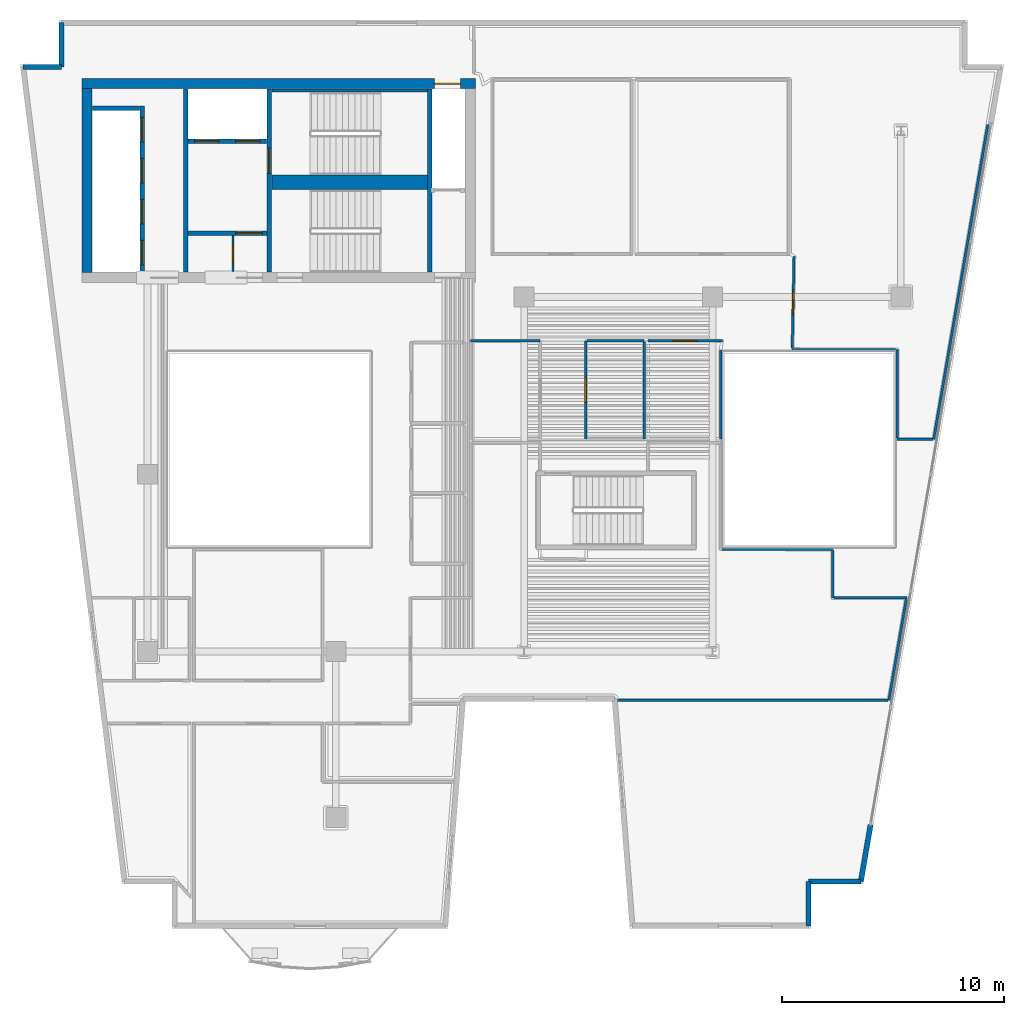
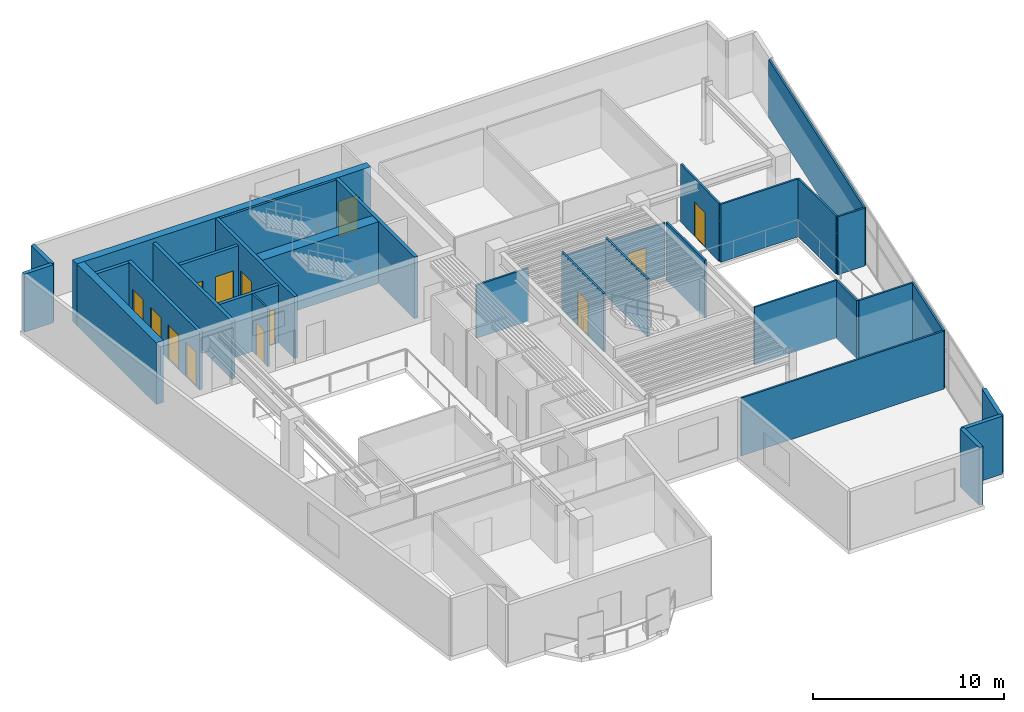
# One storey, part 5 of 9: 33 walls, 13 doors, 13 openings.
"""IFC4 building model written with IfcOpenShell, lengths in metres."""

import ifcopenshell
import ifcopenshell.guid

model = None  # the IFC model being written
_history = None  # IfcOwnerHistory: only IFC2X3 demands one
_inside = {}  # id of a spatial element -> (the spatial element, [elements in it])
_under = {}  # id of a project, library or spatial element -> (it, [spatial elements below it])
_declared = {}  # id of a project -> (the project, [libraries it declares])
_typed = {}  # id of a type object -> (the type object, [elements of that type])
_made_of = {}  # id of a material, layer set ... -> (it, [elements and type objects made of it])


def new_model(schema):
    """Start an empty IFC model of exactly this schema.

    Asked for "IFC4X3", IfcOpenShell would pick the latest addendum, in which some entities
    have other attributes; the version numbers below select the first issue.
    IFC2X3 requires an IfcOwnerHistory on every rooted entity: one is made here for all.
    """
    global model, _history
    if schema == "IFC4X3":
        model = ifcopenshell.file(schema_version=(4, 3, 0, 0))
    else:
        model = ifcopenshell.file(schema=schema)
    _inside.clear()
    _under.clear()
    _declared.clear()
    _typed.clear()
    _made_of.clear()
    _history = None
    if model.schema == "IFC2X3":
        org = make("IfcOrganization", Name="unknown")
        user = make(
            "IfcPersonAndOrganization",
            ThePerson=make("IfcPerson", FamilyName="unknown"),
            TheOrganization=org,
        )
        app = make(
            "IfcApplication",
            ApplicationDeveloper=org,
            Version="unknown",
            ApplicationFullName="unknown",
            ApplicationIdentifier="unknown",
        )
        _history = make(
            "IfcOwnerHistory",
            OwningUser=user,
            OwningApplication=app,
            ChangeAction="ADDED",
            CreationDate=0,
        )
    return model


def make(cls, **values):
    """One entity of the class cls with the attributes given. An attribute that is None is left unset."""
    return model.create_entity(
        cls, **{name: value for name, value in values.items() if value is not None}
    )


def rooted(cls, **values):
    """An entity with a GlobalId (a new one), such as an element, a storey or a relation."""
    return make(cls, GlobalId=ifcopenshell.guid.new(), OwnerHistory=_history, **values)


def si_unit(unit_type, name, prefix=None):
    """IfcSIUnit, for example si_unit("LENGTHUNIT", "METRE", prefix="MILLI")."""
    return make("IfcSIUnit", UnitType=unit_type, Prefix=prefix, Name=name)


def assignment(units):
    """IfcUnitAssignment: the units of a project."""
    return None if units is None else make("IfcUnitAssignment", Units=units)


def point(xyz):
    """IfcCartesianPoint."""
    return None if xyz is None else make("IfcCartesianPoint", Coordinates=xyz)


def direction(xyz):
    """IfcDirection."""
    return None if xyz is None else make("IfcDirection", DirectionRatios=xyz)


def frame(location, z_axis=None, x_axis=None):
    """IfcAxis2Placement3D, a coordinate frame: its origin and axes. An axis left out is left unset."""
    return make(
        "IfcAxis2Placement3D",
        Location=point(location),
        Axis=direction(z_axis),
        RefDirection=direction(x_axis),
    )


def frame_2d(location, x_axis=None):
    """IfcAxis2Placement2D, a coordinate frame in the plane: its origin and x axis."""
    return make(
        "IfcAxis2Placement2D", Location=point(location), RefDirection=direction(x_axis)
    )


def origin():
    """The frame at (0, 0, 0) with its axes left unset."""
    return frame((0.0, 0.0, 0.0))


def place(relative_to, where):
    """IfcLocalPlacement: puts the frame where relative to a parent placement (None: the world)."""
    return make(
        "IfcLocalPlacement", PlacementRelTo=relative_to, RelativePlacement=where
    )


def context(
    kind, dimensions, precision=None, world=None, true_north=None, identifier=None
):
    """IfcGeometricRepresentationContext, for example the 3D "Model" context."""
    return make(
        "IfcGeometricRepresentationContext",
        ContextIdentifier=identifier,
        ContextType=kind,
        CoordinateSpaceDimension=dimensions,
        Precision=precision,
        WorldCoordinateSystem=world,
        TrueNorth=true_north,
    )


def subcontext(parent, identifier, kind, view, scale=None):
    """IfcGeometricRepresentationSubContext, for example "Body" below "Model"."""
    return make(
        "IfcGeometricRepresentationSubContext",
        ContextIdentifier=identifier,
        ContextType=kind,
        ParentContext=parent,
        TargetScale=scale,
        TargetView=view,
    )


def project(units=None, contexts=None):
    """IfcProject with its units and contexts."""
    return rooted(
        "IfcProject",
        Name="project",
        RepresentationContexts=contexts,
        UnitsInContext=assignment(units),
    )


def spatial(cls, under=None, at=None, **own):
    """A site, building, storey or space (cls), placed at a placement, below another one or the project."""
    s = rooted(cls, ObjectPlacement=at, **own)
    if under is not None:
        _under.setdefault(under.id(), (under, []))[1].append(s)
    return s


def profile(cls, at=None, kind="AREA", **sizes):
    """A parametric profile (cls). Its sizes go by their IFC names, for example OverallWidth=200.0."""
    return make(cls, ProfileType=kind, Position=at, **sizes)


def rectangle(**sizes):
    """IfcRectangleProfileDef."""
    return profile("IfcRectangleProfileDef", **sizes)


def extrude(swept, where, along, depth):
    """IfcExtrudedAreaSolid: the profile swept, set in the frame where, extruded along a direction by depth."""
    return make(
        "IfcExtrudedAreaSolid",
        SweptArea=swept,
        Position=where,
        ExtrudedDirection=direction(along),
        Depth=depth,
    )


def shape(context_of_items, identifier, shape_type, items):
    """IfcShapeRepresentation: the items that make up one representation, for example the "Body"."""
    return make(
        "IfcShapeRepresentation",
        ContextOfItems=context_of_items,
        RepresentationIdentifier=identifier,
        RepresentationType=shape_type,
        Items=items,
    )


def material(Name=None, Category=None):
    """IfcMaterial."""
    return make("IfcMaterial", Name=Name, Category=Category)


def layer(
    of_material, thickness, ventilated=None, Name=None, Category=None, Priority=None
):
    """IfcMaterialLayer: one layer of a wall or slab, of a material (None: an air gap)."""
    return make(
        "IfcMaterialLayer",
        Material=of_material,
        LayerThickness=thickness,
        IsVentilated=ventilated,
        Name=Name,
        Category=Category,
        Priority=Priority,
    )


def layer_set(layers, Name=None):
    """IfcMaterialLayerSet."""
    return make("IfcMaterialLayerSet", MaterialLayers=layers, LayerSetName=Name)


def made_of(thing, what):
    """Note that an element or type object is made of a material, layer set ...; save() writes the relation."""
    if what is not None:
        _made_of.setdefault(what.id(), (what, []))[1].append(thing)
    return thing


def type_object(cls, material=None, **own):
    """A type object (cls), such as IfcWallType, which elements share."""
    return made_of(rooted(cls, **own), material)


def element(
    cls,
    number,
    at=None,
    inside=None,
    cuts=None,
    type_object=None,
    material=None,
    context=None,
    identifier="Body",
    shape_type=None,
    held_by="IfcProductDefinitionShape",
    body=None,
    shapes=None,
    **own,
):
    """One element of the class cls, such as IfcWall. Its Tag is "e" and its number.

    at: its placement. inside: the storey or other place that contains it. cuts: it is an
    opening in that element (IfcRelVoidsElement). A single representation is given by context,
    identifier, shape_type and body (its items); several are given by shapes. held_by: the class
    of the entity that holds the representations. save() writes the other relations.
    """
    e = rooted(cls, Tag="e%d" % number, ObjectPlacement=at, **own)
    if body is not None:
        shapes = [shape(context, identifier, shape_type, body)]
    if shapes is not None:
        e.Representation = make(held_by, Representations=shapes)
    if inside is not None:
        _inside.setdefault(inside.id(), (inside, []))[1].append(e)
    if cuts is not None:
        rooted(
            "IfcRelVoidsElement", RelatingBuildingElement=cuts, RelatedOpeningElement=e
        )
    if type_object is not None:
        _typed.setdefault(type_object.id(), (type_object, []))[1].append(e)
    return made_of(e, material)


def fill(opening, filler):
    """IfcRelFillsElement: the door or window that sits in an opening."""
    return rooted(
        "IfcRelFillsElement",
        RelatingOpeningElement=opening,
        RelatedBuildingElement=filler,
    )


def aggregate(whole, parts):
    """IfcRelAggregates: a whole, such as a stair, and the parts it consists of."""
    return rooted("IfcRelAggregates", RelatingObject=whole, RelatedObjects=parts)


def save(model, path):
    """Write the relations noted so far, then the file.

    IfcRelAggregates (storeys below a building ...), IfcRelContainedInSpatialStructure (elements
    in a storey), IfcRelDefinesByType, IfcRelAssociatesMaterial and IfcRelDeclares: one each for
    every whole, place, type object, material and project.
    """
    for whole, parts in _under.values():
        aggregate(whole, parts)
    for where, things in _inside.values():
        rooted(
            "IfcRelContainedInSpatialStructure",
            RelatedElements=things,
            RelatingStructure=where,
        )
    for kind, things in _typed.values():
        rooted("IfcRelDefinesByType", RelatedObjects=things, RelatingType=kind)
    for what, things in _made_of.values():
        rooted("IfcRelAssociatesMaterial", RelatedObjects=things, RelatingMaterial=what)
    for by, libraries in _declared.values():
        rooted("IfcRelDeclares", RelatingContext=by, RelatedDefinitions=libraries)
    model.write(path)


model = new_model("IFC4")

# Units and contexts
model_context = context("Model", 3, precision=1e-05, world=origin(), true_north=direction((0.0, 1.0)))
body_context = subcontext(model_context, "Body", "Model", "MODEL_VIEW")
ifc_project = project(units=[si_unit("LENGTHUNIT", "METRE"), si_unit("AREAUNIT", "SQUARE_METRE"), si_unit("VOLUMEUNIT", "CUBIC_METRE"), si_unit("PLANEANGLEUNIT", "RADIAN"), si_unit("MASSUNIT", "GRAM", prefix="KILO")], contexts=[model_context])

# Site, building, storey
site_placement = place(None, origin())
site = spatial("IfcSite", under=ifc_project, at=site_placement, CompositionType="ELEMENT")
building_placement = place(site_placement, origin())
building = spatial("IfcBuilding", under=site, at=building_placement, Name="Caeloran Harvest Quay", CompositionType="ELEMENT")
storey_placement = place(building_placement, frame((0.0, 0.0, 227.199951171875)))
storey = spatial("IfcBuildingStorey", under=building, at=storey_placement, Name="L54", CompositionType="ELEMENT", Elevation=227.199951171875)

# Walls
ifc_material_1 = material(Name="Precast concrete C50/60", Category="concrete")
ifc_layer_1 = layer(ifc_material_1, 0.239990234375, Name="Precast concrete C50/60")
ifc_layer_set_1 = layer_set([ifc_layer_1], Name="Precast concrete C50/60")
wall_type_1 = type_object("IfcWallType", Name="ENV-WALL-EW-240", PredefinedType="STANDARD", material=ifc_layer_set_1)
wall_1_placement = place(storey_placement, frame((2.884765625, 41.3798828125, 0.0), z_axis=(0.0, 0.0, 1.0), x_axis=(1.0, 0.0, 0.0)))
element("IfcWall", 1, at=wall_1_placement, inside=storey, type_object=wall_type_1, Name="L54 Exterior Precast Concrete Facade Wall 4", PredefinedType="STANDARD", context=body_context, shape_type="SweptSolid", body=[
    extrude(rectangle(XDim=1.7353515625, YDim=0.239990234375, at=frame_2d((0.86767578125, 0.0))), origin(), (0.0, 0.0, 1.0), 3.699951171875),
])
wall_2_placement = place(storey_placement, frame((4.6201171875, 41.3798828125, 0.0), z_axis=(0.0, 0.0, 1.0), x_axis=(0.0, 1.0, 0.0)))
element("IfcWall", 2, at=wall_2_placement, inside=storey, type_object=wall_type_1, Name="L54 Exterior Precast Concrete Facade Wall 5", PredefinedType="STANDARD", context=body_context, shape_type="SweptSolid", body=[
    extrude(rectangle(XDim=2.0, YDim=0.239990234375, at=frame_2d((1.0, 0.0))), origin(), (0.0, 0.0, 1.0), 3.699951171875),
])
wall_3_placement = place(storey_placement, frame((41.135986328125, 7.182373046875, 0.0), z_axis=(0.0, 0.0, 1.0), x_axis=(-0.169315679152, -0.985561870606, 0.0)))
element("IfcWall", 3, at=wall_3_placement, inside=storey, type_object=wall_type_1, Name="L54 Exterior Facade Corner Pier Wall 9B", PredefinedType="STANDARD", context=body_context, shape_type="SweptSolid", body=[
    extrude(rectangle(XDim=2.599853515625, YDim=0.239990234375, at=frame_2d((1.2998046875, 0.0))), origin(), (0.0, 0.0, 1.0), 3.699951171875),
])
wall_4_placement = place(storey_placement, frame((40.69580078125, 4.6201171875, 0.0), z_axis=(0.0, 0.0, 1.0), x_axis=(-1.0, 0.0, 0.0)))
element("IfcWall", 4, at=wall_4_placement, inside=storey, type_object=wall_type_1, Name="L54 Exterior Precast Concrete Facade Wall 10", PredefinedType="STANDARD", context=body_context, shape_type="SweptSolid", body=[
    extrude(rectangle(XDim=2.36279296875, YDim=0.239990234375, at=frame_2d((1.181396484375, 0.0))), origin(), (0.0, 0.0, 1.0), 3.699951171875),
])
wall_5_placement = place(storey_placement, frame((38.3330078125, 4.6201171875, 0.0), z_axis=(0.0, 0.0, 1.0), x_axis=(0.0, -1.0, 0.0)))
element("IfcWall", 5, at=wall_5_placement, inside=storey, type_object=wall_type_1, Name="L54 Exterior Precast Concrete Facade Wall 11", PredefinedType="STANDARD", context=body_context, shape_type="SweptSolid", body=[
    extrude(rectangle(XDim=2.0, YDim=0.239990234375, at=frame_2d((1.0, 0.0))), origin(), (0.0, 0.0, 1.0), 3.699951171875),
])

# Wall, opening, door
ifc_material_2 = material(Name="Fire-Resisting Gypsum Core Riser Partition", Category="gypsum")
ifc_layer_2 = layer(ifc_material_2, 0.10009765625, Name="Fire-Resisting Gypsum Core Riser Partition")
ifc_layer_set_2 = layer_set([ifc_layer_2], Name="Fire-Resisting Gypsum Core Riser Partition")
wall_type_2 = type_object("IfcWallType", Name="INT-WALL-PW-100", PredefinedType="PARTITIONING", material=ifc_layer_set_2)
wall_6_placement = place(storey_placement, frame((12.360107421875, 32.159912109375, 0.0), z_axis=(0.0, 0.0, 1.0), x_axis=(0.0, 1.0, 0.0)))
wall_6 = element("IfcWall", 6, at=wall_6_placement, inside=storey, type_object=wall_type_2, Name="L54 Core Store Partition Wall", PredefinedType="PARTITIONING", context=body_context, shape_type="SweptSolid", body=[
    extrude(rectangle(XDim=1.6201171875, YDim=0.10009765625, at=frame_2d((0.81005859375, 0.0))), origin(), (0.0, 0.0, 1.0), 3.699951171875),
])
opening_1_placement = place(wall_6_placement, frame((0.3798828125, 0.0, 0.0)))
opening_1 = element("IfcOpeningElement", 7, at=opening_1_placement, cuts=wall_6, Name="Opening SV-01", PredefinedType="OPENING", context=body_context, shape_type="SweptSolid", body=[
    extrude(rectangle(XDim=0.85009765625, YDim=2.10009765625, at=frame_2d((0.425048828125, 1.050048828125))), frame((0.0, 0.06005859375, 0.0), z_axis=(0.0, -1.0, 0.0), x_axis=(1.0, 0.0, 0.0)), (0.0, 0.0, 1.0), 0.1201171875),
])
ifc_material_3 = material(Name="Galvanized Painted Steel", Category="steel")
door_type_1 = type_object("IfcDoorType", Name="INTDOOR-SV-01", OperationType="NOTDEFINED", PredefinedType="DOOR", material=ifc_material_3)
door_1_placement = place(opening_1_placement, origin())
door_1 = element("IfcDoor", 8, at=door_1_placement, inside=storey, type_object=door_type_1, Name="L54 Core Service Room Access Door", OperationType="SINGLE_SWING_RIGHT", OverallHeight=2.10009765625, OverallWidth=0.85009765625, PredefinedType="DOOR", context=body_context, shape_type="SweptSolid", body=[
    extrude(rectangle(XDim=0.85009765625, YDim=2.10009765625, at=frame_2d((0.425048828125, 1.050048828125))), frame((0.0, 0.02490234375, 0.0), z_axis=(0.0, -1.0, 0.0), x_axis=(1.0, 0.0, 0.0)), (0.0, 0.0, 1.0), 0.050048828125),
])
fill(opening_1, door_1)

# Walls
ifc_material_4 = material(Name="Single-Stud Acoustic Gypsum Office Partition", Category="gypsum")
ifc_layer_3 = layer(ifc_material_4, 0.112060546875, Name="Single-Stud Acoustic Gypsum Office Partition")
ifc_layer_set_3 = layer_set([ifc_layer_3], Name="Single-Stud Acoustic Gypsum Office Partition")
wall_type_3 = type_object("IfcWallType", Name="INT-WALL-PW-112", PredefinedType="PARTITIONING", material=ifc_layer_set_3)
wall_7_placement = place(storey_placement, frame((34.430908203125, 19.6201171875, 0.0), z_axis=(0.0, 0.0, 1.0), x_axis=(1.0, 0.0, 0.0)))
element("IfcWall", 9, at=wall_7_placement, inside=storey, type_object=wall_type_3, Name="Founder Fireside Salon Lounge Partition Wall", PredefinedType="PARTITIONING", context=body_context, shape_type="SweptSolid", body=[
    extrude(rectangle(XDim=4.989013671875, YDim=0.112060546875, at=frame_2d((2.49462890625, 0.0))), origin(), (0.0, 0.0, 1.0), 3.699951171875),
])
wall_8_placement = place(storey_placement, frame((39.419921875, 19.55908203125, 0.0), z_axis=(0.0, 0.0, 1.0), x_axis=(0.0, -1.0, 0.0)))
element("IfcWall", 10, at=wall_8_placement, inside=storey, type_object=wall_type_3, Name="Founder Fireside Salon Lounge Partition Wall", PredefinedType="PARTITIONING", context=body_context, shape_type="SweptSolid", body=[
    extrude(rectangle(XDim=2.13916015625, YDim=0.112060546875, at=frame_2d((1.069580078125, 0.0))), origin(), (0.0, 0.0, 1.0), 3.699951171875),
])
wall_9_placement = place(storey_placement, frame((39.48095703125, 17.419921875, 0.0), z_axis=(0.0, 0.0, 1.0), x_axis=(1.0, 0.0, 0.0)))
element("IfcWall", 11, at=wall_9_placement, inside=storey, type_object=wall_type_3, Name="Founder Fireside Salon Lounge Partition Wall", PredefinedType="PARTITIONING", context=body_context, shape_type="SweptSolid", body=[
    extrude(rectangle(XDim=3.30810546875, YDim=0.112060546875, at=frame_2d((1.654052734375, 0.0))), origin(), (0.0, 0.0, 1.0), 3.699951171875),
])
wall_10_placement = place(storey_placement, frame((42.743408203125, 17.35888671875, 0.0), z_axis=(0.0, 0.0, 1.0), x_axis=(-0.169369588082, -0.985552607745, 0.0)))
element("IfcWall", 12, at=wall_10_placement, inside=storey, type_object=wall_type_3, Name="Founder Fireside Salon Lounge Partition Wall", PredefinedType="PARTITIONING", context=body_context, shape_type="SweptSolid", body=[
    extrude(rectangle(XDim=4.625732421875, YDim=0.112060546875, at=frame_2d((2.31298828125, 0.0))), origin(), (0.0, 0.0, 1.0), 3.699951171875),
])
wall_11_placement = place(storey_placement, frame((41.930419921875, 12.800048828125, 0.0), z_axis=(0.0, 0.0, 1.0), x_axis=(-1.0, 0.0, 0.0)))
element("IfcWall", 13, at=wall_11_placement, inside=storey, type_object=wall_type_3, Name="Founder Fireside Salon Lounge Partition Wall", PredefinedType="PARTITIONING", context=body_context, shape_type="SweptSolid", body=[
    extrude(rectangle(XDim=12.21923828125, YDim=0.112060546875, at=frame_2d((6.109619140625, 0.0))), origin(), (0.0, 0.0, 1.0), 3.699951171875),
])
wall_12_placement = place(storey_placement, frame((23.080078125, 29.02001953125, 0.0), z_axis=(0.0, 0.0, 1.0), x_axis=(1.0, 0.0, 0.0)))
element("IfcWall", 14, at=wall_12_placement, inside=storey, type_object=wall_type_3, Name="Refreshment Dining Kitchen Partition Wall", PredefinedType="PARTITIONING", context=body_context, shape_type="SweptSolid", body=[
    extrude(rectangle(XDim=3.139892578125, YDim=0.112060546875, at=frame_2d((1.56982421875, 0.0))), origin(), (0.0, 0.0, 1.0), 3.385009765625),
])

# Wall, opening, door
wall_13_placement = place(storey_placement, frame((28.280029296875, 24.580078125, 0.0), z_axis=(0.0, 0.0, 1.0), x_axis=(0.0, 1.0, 0.0)))
wall_13 = element("IfcWall", 15, at=wall_13_placement, inside=storey, type_object=wall_type_3, Name="Secure Vault Laboratory Partition Wall", PredefinedType="PARTITIONING", context=body_context, shape_type="SweptSolid", body=[
    extrude(rectangle(XDim=4.43994140625, YDim=0.112060546875, at=frame_2d((2.219970703125, 0.0))), origin(), (0.0, 0.0, 1.0), 3.699951171875),
])
opening_2_placement = place(wall_13_placement, frame((1.669921875, 0.0, 0.0)))
opening_2 = element("IfcOpeningElement", 16, at=opening_2_placement, cuts=wall_13, Name="Opening ID-04", PredefinedType="OPENING", context=body_context, shape_type="SweptSolid", body=[
    extrude(rectangle(XDim=1.10009765625, YDim=2.199951171875, at=frame_2d((0.550048828125, 1.10009765625))), frame((0.0, 0.06591796875, 0.0), z_axis=(0.0, -1.0, 0.0), x_axis=(1.0, 0.0, 0.0)), (0.0, 0.0, 1.0), 0.132080078125),
])
ifc_material_5 = material(Name="Acoustic Walnut Veneer Executive Door", Category="wood")
door_type_2 = type_object("IfcDoorType", Name="INTDOOR-ID-04", OperationType="NOTDEFINED", PredefinedType="DOOR", material=ifc_material_5)
door_2_placement = place(opening_2_placement, origin())
door_2 = element("IfcDoor", 17, at=door_2_placement, inside=storey, type_object=door_type_2, Name="Secure Vault Laboratory Access Door", OperationType="SINGLE_SWING_RIGHT", OverallHeight=2.199951171875, OverallWidth=1.10009765625, PredefinedType="DOOR", context=body_context, shape_type="SweptSolid", body=[
    extrude(rectangle(XDim=1.10009765625, YDim=2.199951171875, at=frame_2d((0.550048828125, 1.10009765625))), frame((0.0, 0.02490234375, 0.0), z_axis=(0.0, -1.0, 0.0), x_axis=(1.0, 0.0, 0.0)), (0.0, 0.0, 1.0), 0.050048828125),
])
fill(opening_2, door_2)

# Walls
wall_14_placement = place(storey_placement, frame((28.341064453125, 29.02001953125, 0.0), z_axis=(0.0, 0.0, 1.0), x_axis=(1.0, 0.0, 0.0)))
element("IfcWall", 18, at=wall_14_placement, inside=storey, type_object=wall_type_3, Name="Secure Vault Laboratory Partition Wall", PredefinedType="PARTITIONING", context=body_context, shape_type="SweptSolid", body=[
    extrude(rectangle(XDim=2.578857421875, YDim=0.112060546875, at=frame_2d((1.28955078125, 0.0))), origin(), (0.0, 0.0, 1.0), 3.385009765625),
])
wall_15_placement = place(storey_placement, frame((30.919921875, 28.958984375, 0.0), z_axis=(0.0, 0.0, 1.0), x_axis=(0.0, -1.0, 0.0)))
element("IfcWall", 19, at=wall_15_placement, inside=storey, type_object=wall_type_3, Name="Secure Vault Laboratory Partition Wall", PredefinedType="PARTITIONING", context=body_context, shape_type="SweptSolid", body=[
    extrude(rectangle(XDim=4.37890625, YDim=0.112060546875, at=frame_2d((2.189453125, 0.0))), origin(), (0.0, 0.0, 1.0), 3.699951171875),
])
wall_16_placement = place(storey_placement, frame((34.3701171875, 28.60009765625, 0.0), z_axis=(0.0, 0.0, 1.0), x_axis=(0.0, -1.0, 0.0)))
element("IfcWall", 20, at=wall_16_placement, inside=storey, type_object=wall_type_3, Name="Clean-Tech Venture Studio 9 Partition Wall", PredefinedType="PARTITIONING", context=body_context, shape_type="SweptSolid", body=[
    extrude(rectangle(XDim=4.02001953125, YDim=0.112060546875, at=frame_2d((2.010009765625, 0.0))), origin(), (0.0, 0.0, 1.0), 3.699951171875),
])

# Wall, opening, door
wall_17_placement = place(storey_placement, frame((31.080078125, 29.02001953125, 0.0), z_axis=(0.0, 0.0, 1.0), x_axis=(1.0, 0.0, 0.0)))
wall_17 = element("IfcWall", 21, at=wall_17_placement, inside=storey, type_object=wall_type_3, Name="Clean-Tech Venture Studio 9 Partition Wall", PredefinedType="PARTITIONING", context=body_context, shape_type="SweptSolid", body=[
    extrude(rectangle(XDim=3.371826171875, YDim=0.112060546875, at=frame_2d((1.68603515625, 0.0))), origin(), (0.0, 0.0, 1.0), 3.385009765625),
])
opening_3_placement = place(wall_17_placement, frame((1.135986328125, 0.0, 0.0)))
opening_3 = element("IfcOpeningElement", 22, at=opening_3_placement, cuts=wall_17, Name="Opening ID-04", PredefinedType="OPENING", context=body_context, shape_type="SweptSolid", body=[
    extrude(rectangle(XDim=1.10009765625, YDim=2.199951171875, at=frame_2d((0.550048828125, 1.10009765625))), frame((0.0, 0.06591796875, 0.0), z_axis=(0.0, -1.0, 0.0), x_axis=(1.0, 0.0, 0.0)), (0.0, 0.0, 1.0), 0.132080078125),
])
door_3_placement = place(opening_3_placement, origin())
door_3 = element("IfcDoor", 23, at=door_3_placement, inside=storey, type_object=door_type_2, Name="Clean-Tech Venture Studio 9 Access Door", OperationType="SINGLE_SWING_LEFT", OverallHeight=2.199951171875, OverallWidth=1.10009765625, PredefinedType="DOOR", context=body_context, shape_type="SweptSolid", body=[
    extrude(rectangle(XDim=1.10009765625, YDim=2.199951171875, at=frame_2d((0.550048828125, 1.10009765625))), frame((0.0, 0.02490234375, 0.0), z_axis=(0.0, -1.0, 0.0), x_axis=(1.0, 0.0, 0.0)), (0.0, 0.0, 1.0), 0.050048828125),
])
fill(opening_3, door_3)

# Walls
wall_18_placement = place(storey_placement, frame((46.424560546875, 38.777099609375, 0.0), z_axis=(0.0, 0.0, 1.0), x_axis=(-0.169429025923, -0.985542391364, 0.0)))
element("IfcWall", 24, at=wall_18_placement, inside=storey, type_object=wall_type_3, Name="Portfolio Catering Kitchen 10 Partition Wall", PredefinedType="PARTITIONING", context=body_context, shape_type="SweptSolid", body=[
    extrude(rectangle(XDim=14.4052734375, YDim=0.112060546875, at=frame_2d((7.20263671875, 0.0))), origin(), (0.0, 0.0, 1.0), 3.699951171875),
])
wall_19_placement = place(storey_placement, frame((43.95458984375, 24.580078125, 0.0), z_axis=(0.0, 0.0, 1.0), x_axis=(-1.0, 0.0, 0.0)))
element("IfcWall", 25, at=wall_19_placement, inside=storey, type_object=wall_type_3, Name="Portfolio Catering Kitchen 10 Partition Wall", PredefinedType="PARTITIONING", context=body_context, shape_type="SweptSolid", body=[
    extrude(rectangle(XDim=1.62451171875, YDim=0.112060546875, at=frame_2d((0.812255859375, 0.0))), origin(), (0.0, 0.0, 1.0), 3.699951171875),
])
wall_20_placement = place(storey_placement, frame((42.330078125, 24.64111328125, 0.0), z_axis=(0.0, 0.0, 1.0), x_axis=(0.0, 1.0, 0.0)))
element("IfcWall", 26, at=wall_20_placement, inside=storey, type_object=wall_type_3, Name="Portfolio Catering Kitchen 10 Partition Wall", PredefinedType="PARTITIONING", context=body_context, shape_type="SweptSolid", body=[
    extrude(rectangle(XDim=3.98876953125, YDim=0.112060546875, at=frame_2d((1.994384765625, 0.0))), origin(), (0.0, 0.0, 1.0), 3.699951171875),
])
wall_21_placement = place(storey_placement, frame((42.26904296875, 28.6298828125, 0.0), z_axis=(0.0, 0.0, 1.0), x_axis=(-1.0, 0.0, 0.0)))
element("IfcWall", 27, at=wall_21_placement, inside=storey, type_object=wall_type_3, Name="Portfolio Catering Kitchen 10 Partition Wall", PredefinedType="PARTITIONING", context=body_context, shape_type="SweptSolid", body=[
    extrude(rectangle(XDim=4.671142578125, YDim=0.112060546875, at=frame_2d((2.33544921875, 0.0))), origin(), (0.0, 0.0, 1.0), 3.699951171875),
])

# Wall, opening, door
wall_22_placement = place(storey_placement, frame((37.59912109375, 28.69091796875, 0.0), z_axis=(0.0, 0.0, 1.0), x_axis=(0.019566997539, 0.999808547977, 0.0)))
wall_22 = element("IfcWall", 28, at=wall_22_placement, inside=storey, type_object=wall_type_3, Name="Portfolio Catering Kitchen 10 Partition Wall", PredefinedType="PARTITIONING", context=body_context, shape_type="SweptSolid", body=[
    extrude(rectangle(XDim=4.1298828125, YDim=0.112060546875, at=frame_2d((2.06494140625, 0.0))), origin(), (0.0, 0.0, 1.0), 3.699951171875),
])
opening_4_placement = place(wall_22_placement, frame((1.514892578125, 0.0, 0.0)))
opening_4 = element("IfcOpeningElement", 29, at=opening_4_placement, cuts=wall_22, Name="Opening ID-04", PredefinedType="OPENING", context=body_context, shape_type="SweptSolid", body=[
    extrude(rectangle(XDim=1.10009765625, YDim=2.199951171875, at=frame_2d((0.550048828125, 1.10009765625))), frame((0.0, 0.06591796875, 0.0), z_axis=(0.0, -1.0, 0.0), x_axis=(1.0, 0.0, 0.0)), (0.0, 0.0, 1.0), 0.132080078125),
])
door_4_placement = place(opening_4_placement, origin())
door_4 = element("IfcDoor", 30, at=door_4_placement, inside=storey, type_object=door_type_2, Name="Portfolio Catering Kitchen 10 Access Door", OperationType="SINGLE_SWING_RIGHT", OverallHeight=2.199951171875, OverallWidth=1.10009765625, PredefinedType="DOOR", context=body_context, shape_type="SweptSolid", body=[
    extrude(rectangle(XDim=1.10009765625, YDim=2.199951171875, at=frame_2d((0.550048828125, 1.10009765625))), frame((0.0, 0.02490234375, 0.0), z_axis=(0.0, -1.0, 0.0), x_axis=(1.0, 0.0, 0.0)), (0.0, 0.0, 1.0), 0.050048828125),
])
fill(opening_4, door_4)

# Wall, openings, doors
ifc_material_6 = material(Name="Concrete C50/60", Category="concrete")
ifc_layer_4 = layer(ifc_material_6, 0.199951171875, Name="Concrete C50/60")
ifc_layer_set_4 = layer_set([ifc_layer_4], Name="Concrete C50/60")
wall_type_4 = type_object("IfcWallType", Name="INT-WALL-SW-200", PredefinedType="PARTITIONING", material=ifc_layer_set_4)
wall_23_placement = place(storey_placement, frame((8.260009765625, 32.1201171875, 0.0), z_axis=(0.0, 0.0, 1.0), x_axis=(0.0, 1.0, 0.0)))
wall_23 = element("IfcWall", 31, at=wall_23_placement, inside=storey, type_object=wall_type_4, Name="L54 Bank 3 Lift Shaft Wall", PredefinedType="PARTITIONING", context=body_context, shape_type="SweptSolid", body=[
    extrude(rectangle(XDim=7.5, YDim=0.199951171875, at=frame_2d((3.75, 0.0))), origin(), (0.0, 0.0, 1.0), 3.699951171875),
])
opening_5_placement = place(wall_23_placement, frame((0.330078125, 0.0, 0.0)))
opening_5 = element("IfcOpeningElement", 32, at=opening_5_placement, cuts=wall_23, Name="Opening LD-01", PredefinedType="OPENING", context=body_context, shape_type="SweptSolid", body=[
    extrude(rectangle(XDim=1.10009765625, YDim=2.199951171875, at=frame_2d((0.550048828125, 1.10009765625))), frame((0.0, 0.10986328125, 0.0), z_axis=(0.0, -1.0, 0.0), x_axis=(1.0, 0.0, 0.0)), (0.0, 0.0, 1.0), 0.219970703125),
])
opening_6_placement = place(wall_23_placement, frame((2.179931640625, 0.0, 0.0)))
opening_6 = element("IfcOpeningElement", 33, at=opening_6_placement, cuts=wall_23, Name="Opening LD-01", PredefinedType="OPENING", context=body_context, shape_type="SweptSolid", body=[
    extrude(rectangle(XDim=1.10009765625, YDim=2.199951171875, at=frame_2d((0.550048828125, 1.10009765625))), frame((0.0, 0.10986328125, 0.0), z_axis=(0.0, -1.0, 0.0), x_axis=(1.0, 0.0, 0.0)), (0.0, 0.0, 1.0), 0.219970703125),
])
opening_7_placement = place(wall_23_placement, frame((4.030029296875, 0.0, 0.0)))
opening_7 = element("IfcOpeningElement", 34, at=opening_7_placement, cuts=wall_23, Name="Opening LD-01", PredefinedType="OPENING", context=body_context, shape_type="SweptSolid", body=[
    extrude(rectangle(XDim=1.10009765625, YDim=2.199951171875, at=frame_2d((0.550048828125, 1.10009765625))), frame((0.0, 0.10986328125, 0.0), z_axis=(0.0, -1.0, 0.0), x_axis=(1.0, 0.0, 0.0)), (0.0, 0.0, 1.0), 0.219970703125),
])
opening_8_placement = place(wall_23_placement, frame((5.8798828125, 0.0, 0.0)))
opening_8 = element("IfcOpeningElement", 35, at=opening_8_placement, cuts=wall_23, Name="Opening LD-01", PredefinedType="OPENING", context=body_context, shape_type="SweptSolid", body=[
    extrude(rectangle(XDim=1.10009765625, YDim=2.199951171875, at=frame_2d((0.550048828125, 1.10009765625))), frame((0.0, 0.10986328125, 0.0), z_axis=(0.0, -1.0, 0.0), x_axis=(1.0, 0.0, 0.0)), (0.0, 0.0, 1.0), 0.219970703125),
])
ifc_material_7 = material(Name="Stainless Steel Grade 316", Category="steel")
door_type_3 = type_object("IfcDoorType", Name="INTDOOR-LD-01", OperationType="NOTDEFINED", PredefinedType="DOOR", material=ifc_material_7)
door_5_placement = place(opening_5_placement, origin())
door_5 = element("IfcDoor", 36, at=door_5_placement, inside=storey, type_object=door_type_3, Name="Lift P3-1 Sliding Landing Door (L54)", OperationType="DOUBLE_DOOR_SLIDING", OverallHeight=2.199951171875, OverallWidth=1.10009765625, PredefinedType="DOOR", context=body_context, shape_type="SweptSolid", body=[
    extrude(rectangle(XDim=1.10009765625, YDim=2.199951171875, at=frame_2d((0.550048828125, 1.10009765625))), frame((0.0, 0.02490234375, 0.0), z_axis=(0.0, -1.0, 0.0), x_axis=(1.0, 0.0, 0.0)), (0.0, 0.0, 1.0), 0.050048828125),
])
fill(opening_5, door_5)
door_6_placement = place(opening_6_placement, origin())
door_6 = element("IfcDoor", 37, at=door_6_placement, inside=storey, type_object=door_type_3, Name="Lift P3-2 Sliding Landing Door (L54)", OperationType="DOUBLE_DOOR_SLIDING", OverallHeight=2.199951171875, OverallWidth=1.10009765625, PredefinedType="DOOR", context=body_context, shape_type="SweptSolid", body=[
    extrude(rectangle(XDim=1.10009765625, YDim=2.199951171875, at=frame_2d((0.550048828125, 1.10009765625))), frame((0.0, 0.02490234375, 0.0), z_axis=(0.0, -1.0, 0.0), x_axis=(1.0, 0.0, 0.0)), (0.0, 0.0, 1.0), 0.050048828125),
])
fill(opening_6, door_6)
door_7_placement = place(opening_7_placement, origin())
door_7 = element("IfcDoor", 38, at=door_7_placement, inside=storey, type_object=door_type_3, Name="Lift P3-3 Sliding Landing Door (L54)", OperationType="DOUBLE_DOOR_SLIDING", OverallHeight=2.199951171875, OverallWidth=1.10009765625, PredefinedType="DOOR", context=body_context, shape_type="SweptSolid", body=[
    extrude(rectangle(XDim=1.10009765625, YDim=2.199951171875, at=frame_2d((0.550048828125, 1.10009765625))), frame((0.0, 0.02490234375, 0.0), z_axis=(0.0, -1.0, 0.0), x_axis=(1.0, 0.0, 0.0)), (0.0, 0.0, 1.0), 0.050048828125),
])
fill(opening_7, door_7)
door_8_placement = place(opening_8_placement, origin())
door_8 = element("IfcDoor", 39, at=door_8_placement, inside=storey, type_object=door_type_3, Name="Lift P3-4 Sliding Landing Door (L54)", OperationType="DOUBLE_DOOR_SLIDING", OverallHeight=2.199951171875, OverallWidth=1.10009765625, PredefinedType="DOOR", context=body_context, shape_type="SweptSolid", body=[
    extrude(rectangle(XDim=1.10009765625, YDim=2.199951171875, at=frame_2d((0.550048828125, 1.10009765625))), frame((0.0, 0.02490234375, 0.0), z_axis=(0.0, -1.0, 0.0), x_axis=(1.0, 0.0, 0.0)), (0.0, 0.0, 1.0), 0.050048828125),
])
fill(opening_8, door_8)

# Walls
wall_24_placement = place(storey_placement, frame((6.02001953125, 39.52001953125, 0.0), z_axis=(0.0, 0.0, 1.0), x_axis=(1.0, 0.0, 0.0)))
element("IfcWall", 40, at=wall_24_placement, inside=storey, type_object=wall_type_4, Name="L54 Bank 3 Lift Shaft North End Wall", PredefinedType="PARTITIONING", context=body_context, shape_type="SweptSolid", body=[
    extrude(rectangle(XDim=2.119873046875, YDim=0.199951171875, at=frame_2d((1.06005859375, 0.0))), origin(), (0.0, 0.0, 1.0), 3.699951171875),
])
wall_25_placement = place(storey_placement, frame((10.219970703125, 32.1201171875, 0.0), z_axis=(0.0, 0.0, 1.0), x_axis=(0.0, 1.0, 0.0)))
element("IfcWall", 41, at=wall_25_placement, inside=storey, type_object=wall_type_4, Name="L54 Core Lobby Compartment Wall", PredefinedType="PARTITIONING", context=body_context, shape_type="SweptSolid", body=[
    extrude(rectangle(XDim=8.259765625, YDim=0.199951171875, at=frame_2d((4.1298828125, 0.0))), origin(), (0.0, 0.0, 1.0), 3.699951171875),
])

# Wall, openings, doors
wall_26_placement = place(storey_placement, frame((10.340087890625, 38.02001953125, 0.0), z_axis=(0.0, 0.0, 1.0), x_axis=(1.0, 0.0, 0.0)))
wall_26 = element("IfcWall", 42, at=wall_26_placement, inside=storey, type_object=wall_type_4, Name="L54 Firefighting Lift Shaft Wall", PredefinedType="PARTITIONING", context=body_context, shape_type="SweptSolid", body=[
    extrude(rectangle(XDim=3.539794921875, YDim=0.199951171875, at=frame_2d((1.77001953125, 0.0))), origin(), (0.0, 0.0, 1.0), 3.699951171875),
])
opening_9_placement = place(wall_26_placement, frame((0.284912109375, 0.0, 0.0)))
opening_9 = element("IfcOpeningElement", 43, at=opening_9_placement, cuts=wall_26, Name="Opening LD-01", PredefinedType="OPENING", context=body_context, shape_type="SweptSolid", body=[
    extrude(rectangle(XDim=1.10009765625, YDim=2.199951171875, at=frame_2d((0.550048828125, 1.10009765625))), frame((0.0, 0.10986328125, 0.0), z_axis=(0.0, -1.0, 0.0), x_axis=(1.0, 0.0, 0.0)), (0.0, 0.0, 1.0), 0.219970703125),
])
opening_10_placement = place(wall_26_placement, frame((2.135009765625, 0.0, 0.0)))
opening_10 = element("IfcOpeningElement", 44, at=opening_10_placement, cuts=wall_26, Name="Opening LD-01", PredefinedType="OPENING", context=body_context, shape_type="SweptSolid", body=[
    extrude(rectangle(XDim=1.10009765625, YDim=2.199951171875, at=frame_2d((0.550048828125, 1.10009765625))), frame((0.0, 0.10986328125, 0.0), z_axis=(0.0, -1.0, 0.0), x_axis=(1.0, 0.0, 0.0)), (0.0, 0.0, 1.0), 0.219970703125),
])
door_9_placement = place(opening_9_placement, origin())
door_9 = element("IfcDoor", 45, at=door_9_placement, inside=storey, type_object=door_type_3, Name="Lift FF-1 Sliding Landing Door (L54)", OperationType="DOUBLE_DOOR_SLIDING", OverallHeight=2.199951171875, OverallWidth=1.10009765625, PredefinedType="DOOR", context=body_context, shape_type="SweptSolid", body=[
    extrude(rectangle(XDim=1.10009765625, YDim=2.199951171875, at=frame_2d((0.550048828125, 1.10009765625))), frame((0.0, 0.02490234375, 0.0), z_axis=(0.0, -1.0, 0.0), x_axis=(1.0, 0.0, 0.0)), (0.0, 0.0, 1.0), 0.050048828125),
])
fill(opening_9, door_9)
door_10_placement = place(opening_10_placement, origin())
door_10 = element("IfcDoor", 46, at=door_10_placement, inside=storey, type_object=door_type_3, Name="Lift FF-2 Sliding Landing Door (L54)", OperationType="DOUBLE_DOOR_SLIDING", OverallHeight=2.199951171875, OverallWidth=1.10009765625, PredefinedType="DOOR", context=body_context, shape_type="SweptSolid", body=[
    extrude(rectangle(XDim=1.10009765625, YDim=2.199951171875, at=frame_2d((0.550048828125, 1.10009765625))), frame((0.0, 0.02490234375, 0.0), z_axis=(0.0, -1.0, 0.0), x_axis=(1.0, 0.0, 0.0)), (0.0, 0.0, 1.0), 0.050048828125),
])
fill(opening_10, door_10)

# Wall, opening, door
wall_27_placement = place(storey_placement, frame((10.340087890625, 33.8798828125, 0.0), z_axis=(0.0, 0.0, 1.0), x_axis=(1.0, 0.0, 0.0)))
wall_27 = element("IfcWall", 47, at=wall_27_placement, inside=storey, type_object=wall_type_4, Name="L54 Firefighting Lift Lobby Enclosure Wall", PredefinedType="PARTITIONING", context=body_context, shape_type="SweptSolid", body=[
    extrude(rectangle(XDim=3.559814453125, YDim=0.199951171875, at=frame_2d((1.77978515625, 0.0))), origin(), (0.0, 0.0, 1.0), 3.699951171875),
])
opening_11_placement = place(wall_27_placement, frame((2.14990234375, 0.0, 0.0)))
opening_11 = element("IfcOpeningElement", 48, at=opening_11_placement, cuts=wall_27, Name="Opening FD-01", PredefinedType="OPENING", context=body_context, shape_type="SweptSolid", body=[
    extrude(rectangle(XDim=1.199951171875, YDim=2.199951171875, at=frame_2d((0.60009765625, 1.10009765625))), frame((0.0, 0.10986328125, 0.0), z_axis=(0.0, -1.0, 0.0), x_axis=(1.0, 0.0, 0.0)), (0.0, 0.0, 1.0), 0.219970703125),
])
ifc_material_8 = material(Name="Steel", Category="steel")
door_type_4 = type_object("IfcDoorType", Name="INTDOOR-FD-01", OperationType="NOTDEFINED", PredefinedType="DOOR", material=ifc_material_8)
door_11_placement = place(opening_11_placement, origin())
door_11 = element("IfcDoor", 49, at=door_11_placement, inside=storey, type_object=door_type_4, Name="L54 Firefighting Lift Lobby Smoke-Seal Fire Door", OperationType="SINGLE_SWING_LEFT", OverallHeight=2.199951171875, OverallWidth=1.199951171875, PredefinedType="DOOR", context=body_context, shape_type="SweptSolid", body=[
    extrude(rectangle(XDim=1.199951171875, YDim=2.199951171875, at=frame_2d((0.60009765625, 1.10009765625))), frame((0.0, 0.02490234375, 0.0), z_axis=(0.0, -1.0, 0.0), x_axis=(1.0, 0.0, 0.0)), (0.0, 0.0, 1.0), 0.050048828125),
])
fill(opening_11, door_11)

ifc_material_9 = material(Name="Concrete C60/75", Category="concrete")
ifc_layer_5 = layer(ifc_material_9, 0.449951171875, Name="Concrete C60/75")
ifc_layer_set_5 = layer_set([ifc_layer_5], Name="Concrete C60/75")
wall_type_5 = type_object("IfcWallType", Name="STR-WALL-CW-450", PredefinedType="SHEAR", material=ifc_layer_set_5)
wall_28_placement = place(storey_placement, frame((5.550048828125, 40.625, 0.0), z_axis=(0.0, 0.0, 1.0), x_axis=(1.0, 0.0, 0.0)))
wall_28 = element("IfcWall", 50, at=wall_28_placement, inside=storey, type_object=wall_type_5, Name="L54 Rear Core Shear Wall N", PredefinedType="SHEAR", context=body_context, shape_type="SweptSolid", body=[
    extrude(rectangle(XDim=17.75, YDim=0.449951171875, at=frame_2d((8.875, 0.0))), origin(), (0.0, 0.0, 1.0), 3.949951171875),
])
opening_12_placement = place(wall_28_placement, frame((15.89501953125, 0.0, 0.0)))
opening_12 = element("IfcOpeningElement", 51, at=opening_12_placement, cuts=wall_28, Name="Opening LD-02", PredefinedType="OPENING", context=body_context, shape_type="SweptSolid", body=[
    extrude(rectangle(XDim=1.179931640625, YDim=2.25, at=frame_2d((0.58984375, 1.125))), frame((0.0, 0.23486328125, 0.0), z_axis=(0.0, -1.0, 0.0), x_axis=(1.0, 0.0, 0.0)), (0.0, 0.0, 1.0), 0.469970703125),
])
door_type_5 = type_object("IfcDoorType", Name="INTDOOR-LD-02", OperationType="NOTDEFINED", PredefinedType="DOOR", material=ifc_material_7)
door_12_placement = place(opening_12_placement, origin())
door_12 = element("IfcDoor", 52, at=door_12_placement, inside=storey, type_object=door_type_5, Name="Lift SV-1 Sliding Landing Door (L54)", OperationType="DOUBLE_DOOR_SLIDING", OverallHeight=2.25, OverallWidth=1.179931640625, PredefinedType="DOOR", context=body_context, shape_type="SweptSolid", body=[
    extrude(rectangle(XDim=1.179931640625, YDim=2.25, at=frame_2d((0.58984375, 1.125))), frame((0.0, 0.02490234375, 0.0), z_axis=(0.0, -1.0, 0.0), x_axis=(1.0, 0.0, 0.0)), (0.0, 0.0, 1.0), 0.050048828125),
])
fill(opening_12, door_12)

# Walls
wall_29_placement = place(storey_placement, frame((5.77490234375, 32.10009765625, 0.0), z_axis=(0.0, 0.0, 1.0), x_axis=(0.0, 1.0, 0.0)))
element("IfcWall", 53, at=wall_29_placement, inside=storey, type_object=wall_type_5, Name="L54 Rear Core Shear Wall W", PredefinedType="SHEAR", context=body_context, shape_type="SweptSolid", body=[
    extrude(rectangle(XDim=8.2998046875, YDim=0.449951171875, at=frame_2d((4.14990234375, 0.0))), origin(), (0.0, 0.0, 1.0), 3.949951171875),
])
ifc_layer_6 = layer(ifc_material_9, 0.64990234375, Name="Concrete C60/75")
ifc_layer_set_6 = layer_set([ifc_layer_6], Name="Concrete C60/75")
wall_type_6 = type_object("IfcWallType", Name="STR-WALL-CW-650", PredefinedType="SHEAR", material=ifc_layer_set_6)
wall_30_placement = place(storey_placement, frame((14.1201171875, 36.175048828125, 0.0), z_axis=(0.0, 0.0, 1.0), x_axis=(1.0, 0.0, 0.0)))
element("IfcWall", 54, at=wall_30_placement, inside=storey, type_object=wall_type_6, Name="L54 Core Stairs Dividing Shear Wall", PredefinedType="SHEAR", context=body_context, shape_type="SweptSolid", body=[
    extrude(rectangle(XDim=7.009765625, YDim=0.64990234375, at=frame_2d((3.5048828125, 0.0))), origin(), (0.0, 0.0, 1.0), 3.949951171875),
])
ifc_layer_7 = layer(ifc_material_9, 0.139892578125, Name="Concrete C60/75")
ifc_layer_set_7 = layer_set([ifc_layer_7], Name="Concrete C60/75")
wall_type_7 = type_object("IfcWallType", Name="STR-WALL-SW-140", PredefinedType="SHEAR", material=ifc_layer_set_7)
wall_31_placement = place(storey_placement, frame((14.1201171875, 40.320068359375, 0.0), z_axis=(0.0, 0.0, 1.0), x_axis=(1.0, 0.0, 0.0)))
element("IfcWall", 55, at=wall_31_placement, inside=storey, type_object=wall_type_7, Name="L54 Core Stair ST-C1 North Bearing Shear Wall", PredefinedType="SHEAR", context=body_context, shape_type="SweptSolid", body=[
    extrude(rectangle(XDim=7.009765625, YDim=0.139892578125, at=frame_2d((3.5048828125, 0.0))), origin(), (0.0, 0.0, 1.0), 3.949951171875),
])

# Wall, opening, door
ifc_layer_8 = layer(ifc_material_9, 0.199951171875, Name="Concrete C60/75")
ifc_layer_set_8 = layer_set([ifc_layer_8], Name="Concrete C60/75")
wall_type_8 = type_object("IfcWallType", Name="STR-WALL-SW-200", PredefinedType="SHEAR", material=ifc_layer_set_8)
wall_32_placement = place(storey_placement, frame((14.0, 32.1201171875, 0.0), z_axis=(0.0, 0.0, 1.0), x_axis=(0.0, 1.0, 0.0)))
wall_32 = element("IfcWall", 56, at=wall_32_placement, inside=storey, type_object=wall_type_8, Name="L54 Core Stair Shaft West Shear Wall", PredefinedType="SHEAR", context=body_context, shape_type="SweptSolid", body=[
    extrude(rectangle(XDim=8.259765625, YDim=0.199951171875, at=frame_2d((4.1298828125, 0.0))), origin(), (0.0, 0.0, 1.0), 3.949951171875),
])
opening_13_placement = place(wall_32_placement, frame((4.4599609375, 0.0, 0.0)))
opening_13 = element("IfcOpeningElement", 57, at=opening_13_placement, cuts=wall_32, Name="Opening SD-01", PredefinedType="OPENING", context=body_context, shape_type="SweptSolid", body=[
    extrude(rectangle(XDim=1.14990234375, YDim=2.199951171875, at=frame_2d((0.574951171875, 1.10009765625))), frame((0.0, 0.10986328125, 0.0), z_axis=(0.0, -1.0, 0.0), x_axis=(1.0, 0.0, 0.0)), (0.0, 0.0, 1.0), 0.219970703125),
])
door_type_6 = type_object("IfcDoorType", Name="INTDOOR-SD-01", OperationType="NOTDEFINED", PredefinedType="DOOR", material=ifc_material_8)
door_13_placement = place(opening_13_placement, origin())
door_13 = element("IfcDoor", 58, at=door_13_placement, inside=storey, type_object=door_type_6, Name="L54 Protected Stair ST-C1 Exit Door", OperationType="SINGLE_SWING_LEFT", OverallHeight=2.199951171875, OverallWidth=1.14990234375, PredefinedType="DOOR", context=body_context, shape_type="SweptSolid", body=[
    extrude(rectangle(XDim=1.14990234375, YDim=2.199951171875, at=frame_2d((0.574951171875, 1.10009765625))), frame((0.0, 0.02490234375, 0.0), z_axis=(0.0, -1.0, 0.0), x_axis=(1.0, 0.0, 0.0)), (0.0, 0.0, 1.0), 0.050048828125),
])
fill(opening_13, door_13)

# Wall
wall_33_placement = place(storey_placement, frame((21.25, 32.1201171875, 0.0), z_axis=(0.0, 0.0, 1.0), x_axis=(0.0, 1.0, 0.0)))
element("IfcWall", 59, at=wall_33_placement, inside=storey, type_object=wall_type_8, Name="L54 Core Stair Shaft East Shear Wall", PredefinedType="SHEAR", context=body_context, shape_type="SweptSolid", body=[
    extrude(rectangle(XDim=8.259765625, YDim=0.199951171875, at=frame_2d((4.1298828125, 0.0))), origin(), (0.0, 0.0, 1.0), 3.949951171875),
])

save(model, "model.ifc")
